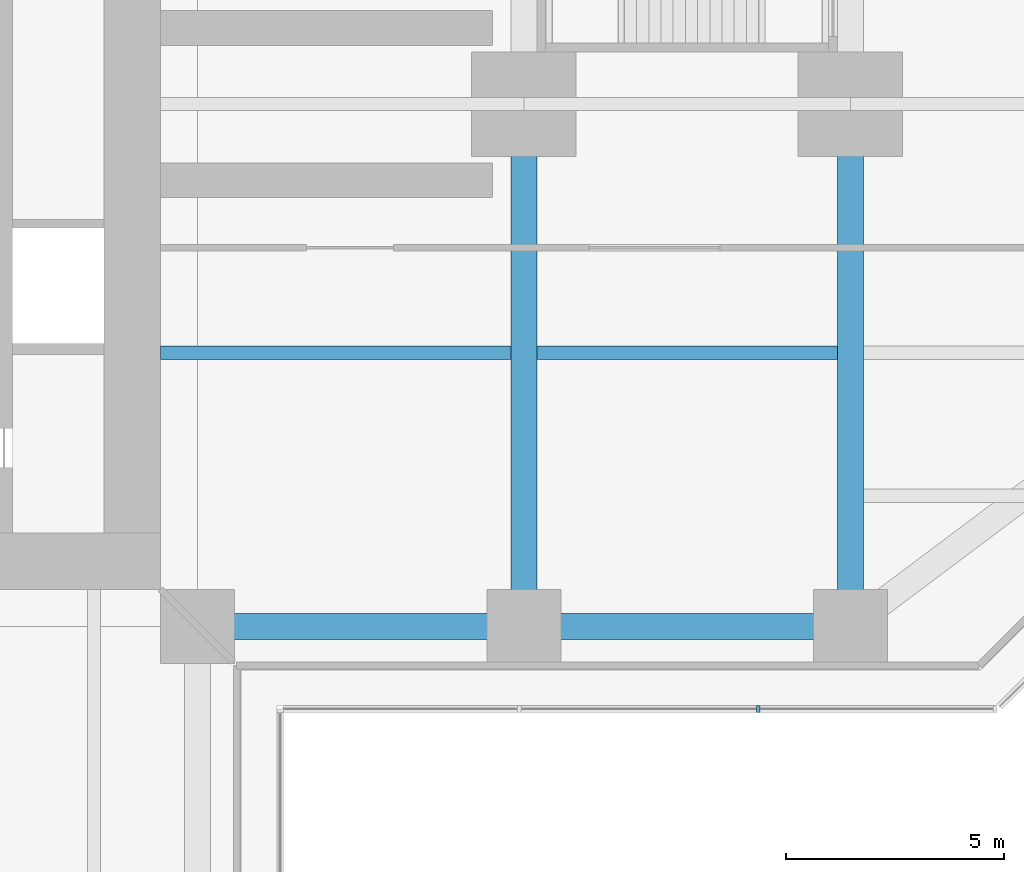
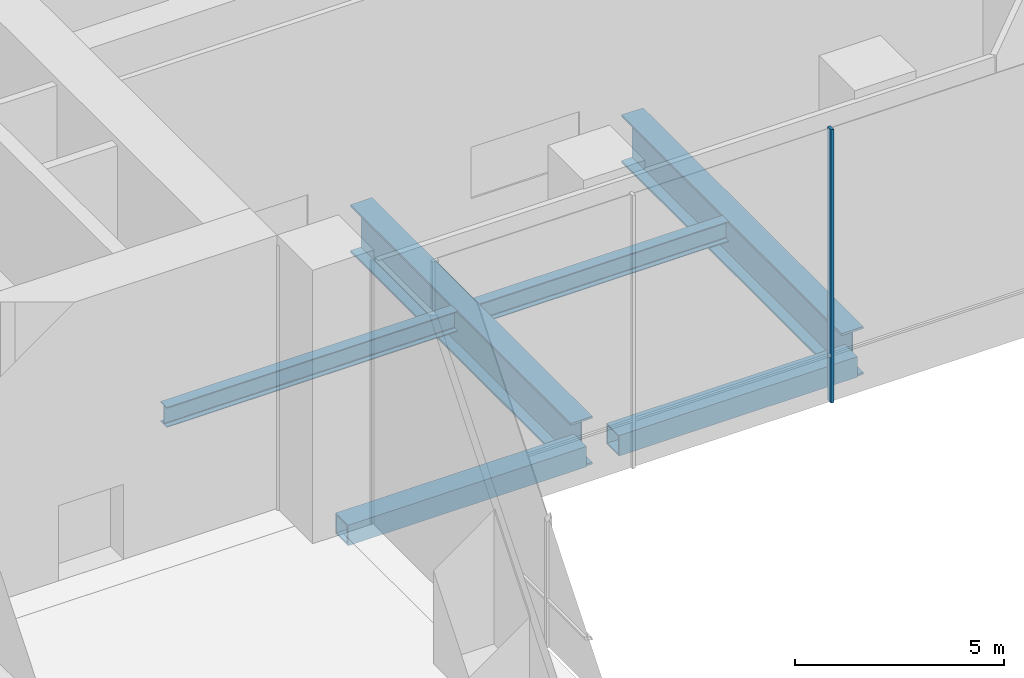
# One storey, part 6 of 25: 6 beams, 1 member, 1 element without a shape of its own.
"""IFC4 building model written with IfcOpenShell, lengths in metres."""

from ifc_helpers import new_model, si_unit, direction, frame, origin, origin_2d, place, context, subcontext, project, spatial, rectangle, hollow_rectangle, i_section, extrude, material, material_profile, profile_set, type_object, element, aggregate, save


model = new_model("IFC4")

# Units and contexts
model_context = context("Model", 3, precision=1e-05, world=origin(), true_north=direction((0.0, 1.0)))
body_context = subcontext(model_context, "Body", "Model", "MODEL_VIEW")
ifc_project = project(units=[si_unit("LENGTHUNIT", "METRE"), si_unit("AREAUNIT", "SQUARE_METRE"), si_unit("VOLUMEUNIT", "CUBIC_METRE"), si_unit("PLANEANGLEUNIT", "RADIAN"), si_unit("MASSUNIT", "GRAM", prefix="KILO")], contexts=[model_context])

# Site, building, storey
site_placement = place(None, origin())
site = spatial("IfcSite", under=ifc_project, at=site_placement, CompositionType="ELEMENT")
building_placement = place(site_placement, origin())
building = spatial("IfcBuilding", under=site, at=building_placement, Name="Mizan Broadcast Tower", CompositionType="ELEMENT")
storey_placement = place(building_placement, frame((0.0, 0.0, 7.0)))
storey = spatial("IfcBuildingStorey", under=building, at=storey_placement, Name="L01", CompositionType="ELEMENT", Elevation=7.0)

# Beams
ifc_material_1 = material(Name="Steel S355", Category="steel")
ifc_material_profile_1 = material_profile(ifc_material_1, hollow_rectangle(XDim=0.60009765625, YDim=0.60009765625, WallThickness=0.0400390625, at=origin_2d()), Name="BOX 600x600x40")
ifc_profile_set_1 = profile_set([ifc_material_profile_1], Name="Steel S355")
beam_type_1 = type_object("IfcBeamType", Name="EDGE BEAM BOX 600x600x40", PredefinedType="SPANDREL", material=ifc_profile_set_1)
for number, where, z_axis, x_axis, name in (
    (1, (12.449951171875, -12.0, -0.550048828125), (1.0, 0.0, 0.0), (0.0, 1.0, 0.0), "Edge beam BOX 600x600x40 L01 east arm"),
    (2, (19.949951171875, -12.0, -0.550048828125), (1.0, 0.0, 0.0), (0.0, 1.0, 0.0), "Edge beam BOX 600x600x40 L01 east arm"),
):
    element("IfcBeam", number, at=place(storey_placement, frame(where, z_axis=z_axis, x_axis=x_axis)), inside=storey, type_object=beam_type_1, Name=name, PredefinedType="SPANDREL", context=body_context, shape_type="SweptSolid", body=[
        extrude(hollow_rectangle(XDim=0.60009765625, YDim=0.60009765625, WallThickness=0.0400390625, at=origin_2d()), origin(), (0.0, 0.0, 1.0), 6.60009765625),
    ])
ifc_material_2 = material(Name="Steel S460", Category="steel")
ifc_material_profile_2 = material_profile(ifc_material_2, i_section(OverallWidth=0.60009765625, OverallDepth=1.39990234375, WebThickness=0.02490234375, FlangeThickness=0.06005859375, at=origin_2d()), Name="WPG 1400x600")
ifc_profile_set_2 = profile_set([ifc_material_profile_2], Name="Steel S460")
beam_type_2 = type_object("IfcBeamType", Name="GIRDER WPG 1400x600", PredefinedType="BEAM", material=ifc_profile_set_2)
for number, where, z_axis, x_axis, name in (
    (3, (19.5, -11.280029296875, -0.949951171875), (0.0, 1.0, 0.0), (-1.0, 0.0, 0.0), "Girder WPG 1400x600 L01 east arm"),
    (4, (27.0, -11.280029296875, -0.949951171875), (0.0, 1.0, 0.0), (-1.0, 0.0, 0.0), "Girder WPG 1400x600 L01 east arm"),
):
    element("IfcBeam", number, at=place(storey_placement, frame(where, z_axis=z_axis, x_axis=x_axis)), inside=storey, type_object=beam_type_2, Name=name, PredefinedType="BEAM", context=body_context, shape_type="SweptSolid", body=[
        extrude(i_section(OverallWidth=0.60009765625, OverallDepth=1.39990234375, WebThickness=0.02490234375, FlangeThickness=0.06005859375, at=origin_2d()), origin(), (0.0, 0.0, 1.0), 10.56005859375),
    ])

# Curtain wall, member
ifc_material_3 = material(Name="Aluminium framed glazing", Category="aluminium")
curtain_wall_type = type_object("IfcCurtainWallType", Name="OUTER SKIN", PredefinedType="USERDEFINED", material=ifc_material_3)
curtain_wall_placement = place(storey_placement, origin())
curtain_wall = element("IfcCurtainWall", 5, at=curtain_wall_placement, inside=storey, type_object=curtain_wall_type, Name="Outer skin L01 E side", ObjectType="OUTER SKIN", PredefinedType="USERDEFINED")
ifc_material_4 = material(Name="Aluminium, pale anodised", Category="aluminium")
ifc_material_profile_3 = material_profile(ifc_material_4, rectangle(XDim=0.159912109375, YDim=0.080078125, at=origin_2d()), Name="MULLION 160x80")
ifc_profile_set_3 = profile_set([ifc_material_profile_3], Name="Aluminium, pale anodised")
member_type = type_object("IfcMemberType", Name="OUTER SKIN MULLION 80x160", PredefinedType="MULLION", material=ifc_profile_set_3)
member_placement = place(storey_placement, frame((24.8818359375, -13.89990234375, 0.0), z_axis=(0.0, 0.0, 1.0), x_axis=(0.0, 1.0, 0.0)))
member = element("IfcMember", 6, at=member_placement, type_object=member_type, Name="Outer skin L01 E side mullion 3", PredefinedType="MULLION", context=body_context, shape_type="SweptSolid", body=[
    extrude(rectangle(XDim=0.159912109375, YDim=0.080078125, at=origin_2d()), origin(), (0.0, 0.0, 1.0), 8.0),
])
aggregate(curtain_wall, [member])

# Beams
ifc_material_5 = material(Name="Steel S355", Category="steel")
ifc_material_profile_4 = material_profile(ifc_material_5, i_section(OverallWidth=0.300048828125, OverallDepth=0.590087890625, WebThickness=0.012939453125, FlangeThickness=0.02490234375, FilletRadius=0.027099609375, at=origin_2d()), Name="HEA 600")
ifc_profile_set_4 = profile_set([ifc_material_profile_4], Name="Steel S355")
beam_type_3 = type_object("IfcBeamType", Name="SECONDARY BEAM HEA 600", PredefinedType="JOIST", material=ifc_profile_set_4)
beam_1_placement = place(storey_placement, frame((11.14990234375, -5.71435546875, -0.544921875), z_axis=(1.0, 0.0, 0.0), x_axis=(0.0, 1.0, 0.0)))
element("IfcBeam", 7, at=beam_1_placement, inside=storey, type_object=beam_type_3, Name="Secondary beam HEA 600 L01 east arm", PredefinedType="JOIST", context=body_context, shape_type="SweptSolid", body=[
    extrude(i_section(OverallWidth=0.300048828125, OverallDepth=0.590087890625, WebThickness=0.012939453125, FlangeThickness=0.02490234375, FilletRadius=0.027099609375, at=origin_2d()), origin(), (0.0, 0.0, 1.0), 8.050048828125),
])
beam_2_placement = place(storey_placement, frame((19.800048828125, -5.71435546875, -0.544921875), z_axis=(1.0, 0.0, 0.0), x_axis=(0.0, 1.0, 0.0)))
element("IfcBeam", 8, at=beam_2_placement, inside=storey, type_object=beam_type_3, Name="Secondary beam HEA 600 L01 east arm", PredefinedType="JOIST", context=body_context, shape_type="SweptSolid", body=[
    extrude(i_section(OverallWidth=0.300048828125, OverallDepth=0.590087890625, WebThickness=0.012939453125, FlangeThickness=0.02490234375, FilletRadius=0.027099609375, at=origin_2d()), origin(), (0.0, 0.0, 1.0), 6.89990234375),
])

save(model, "model.ifc")
